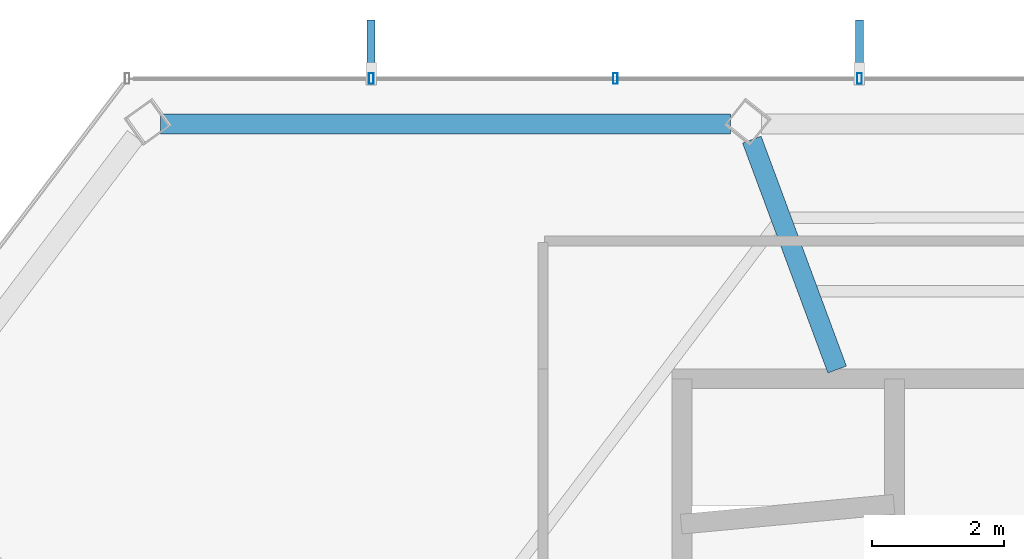
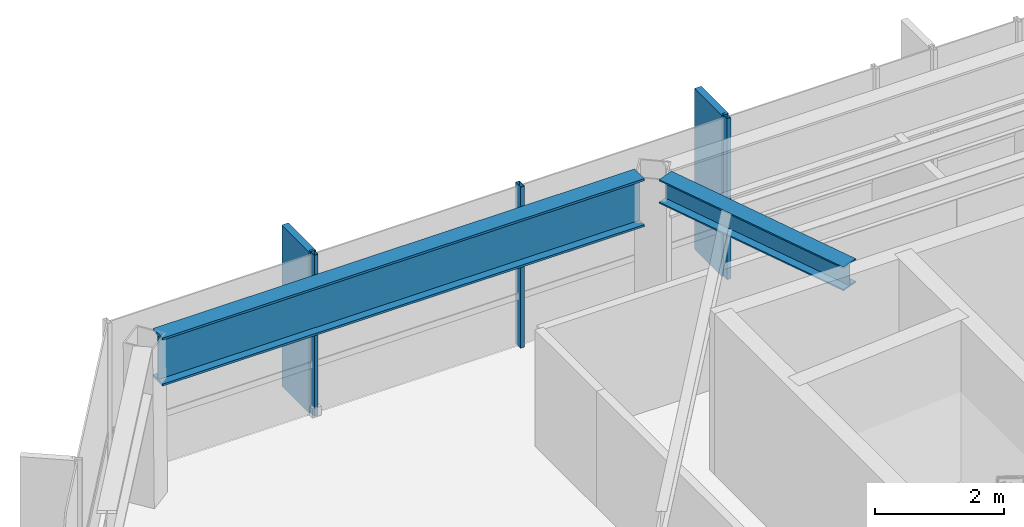
# One storey, part 11 of 24: 5 members, 2 beams, 1 element without a shape of its own.
"""IFC4 building model written with IfcOpenShell, lengths in metres."""

from ifc_helpers import new_model, si_unit, direction, frame, origin, origin_2d, place, context, subcontext, project, spatial, rectangle, hollow_rectangle, i_section, extrude, material, layer, layer_set, material_profile, profile_set, type_object, element, aggregate, save


model = new_model("IFC4")

# Units and contexts
model_context = context("Model", 3, precision=1e-05, world=origin(), true_north=direction((0.0, 1.0)))
body_context = subcontext(model_context, "Body", "Model", "MODEL_VIEW")
ifc_project = project(units=[si_unit("LENGTHUNIT", "METRE"), si_unit("AREAUNIT", "SQUARE_METRE"), si_unit("VOLUMEUNIT", "CUBIC_METRE"), si_unit("PLANEANGLEUNIT", "RADIAN"), si_unit("MASSUNIT", "GRAM", prefix="KILO")], contexts=[model_context])

# Site, building, storey
site_placement = place(None, origin())
site = spatial("IfcSite", under=ifc_project, at=site_placement, CompositionType="ELEMENT")
building_placement = place(site_placement, origin())
building = spatial("IfcBuilding", under=site, at=building_placement, Name="Zarrinselat Tower", CompositionType="ELEMENT")
storey_placement = place(building_placement, frame((0.0, 0.0, 249.56005859375)))
storey = spatial("IfcBuildingStorey", under=building, at=storey_placement, Name="L63", CompositionType="ELEMENT", Elevation=249.56005859375)

# Beams
ifc_material_1 = material(Name="Steel S355J2", Category="steel")
ifc_material_profile_1 = material_profile(ifc_material_1, i_section(OverallWidth=0.300048828125, OverallDepth=0.449951171875, WebThickness=0.013916015625, FlangeThickness=0.02587890625, at=origin_2d()), Name="HEB 450")
ifc_profile_set_1 = profile_set([ifc_material_profile_1], Name="Steel S355J2")
beam_type_1 = type_object("IfcBeamType", Name="BM-HEB450", PredefinedType="BEAM", material=ifc_profile_set_1)
beam_1_placement = place(storey_placement, frame((29.70849609375, 47.019287109375, 2.824951171875), z_axis=(0.347999881666, -0.937494577243, 0.0), x_axis=(0.937494577243, 0.347999881666, 0.0)))
element("IfcBeam", 1, at=beam_1_placement, inside=storey, type_object=beam_type_1, Name="L63 Radial Primary Girder RG04", PredefinedType="BEAM", context=body_context, shape_type="SweptSolid", body=[
    extrude(i_section(OverallWidth=0.300048828125, OverallDepth=0.449951171875, WebThickness=0.013916015625, FlangeThickness=0.02587890625, at=origin_2d()), origin(), (0.0, 0.0, 1.0), 3.711181640625),
])
ifc_material_2 = material(Name="Steel S460M", Category="steel")
ifc_material_profile_2 = material_profile(ifc_material_2, i_section(OverallWidth=0.302001953125, OverallDepth=0.909912109375, WebThickness=0.02099609375, FlangeThickness=0.0400390625, at=origin_2d()), Name="HEM 900")
ifc_profile_set_2 = profile_set([ifc_material_profile_2], Name="Steel S460M")
beam_type_2 = type_object("IfcBeamType", Name="BM-HEM900", PredefinedType="BEAM", material=ifc_profile_set_2)
beam_2_placement = place(storey_placement, frame((20.760498046875, 47.255615234375, 2.594970703125), z_axis=(1.0, 0.0, 0.0), x_axis=(0.0, 1.0, 0.0)))
element("IfcBeam", 2, at=beam_2_placement, inside=storey, type_object=beam_type_2, Name="L63 Perimeter Spandrel Girder SP04", PredefinedType="BEAM", context=body_context, shape_type="SweptSolid", body=[
    extrude(i_section(OverallWidth=0.302001953125, OverallDepth=0.909912109375, WebThickness=0.02099609375, FlangeThickness=0.0400390625, at=origin_2d()), origin(), (0.0, 0.0, 1.0), 8.622314453125),
])

# Curtain wall, members
ifc_material_3 = material(Name="Extruded Aluminium Alloy EN AW-6063 T6", Category="aluminium")
ifc_layer = layer(ifc_material_3, 0.169921875)
ifc_layer_set = layer_set([ifc_layer], Name="Extruded Aluminium Alloy EN AW-6063 T6")
curtain_wall_type = type_object("IfcCurtainWallType", Name="CWS-RES", PredefinedType="NOTDEFINED", material=ifc_layer_set)
curtain_wall_placement = place(storey_placement, origin())
curtain_wall = element("IfcCurtainWall", 3, at=curtain_wall_placement, inside=storey, type_object=curtain_wall_type, Name="L63 Unitised Curtain Wall CW-L63-E01", PredefinedType="NOTDEFINED")
ifc_material_4 = material(Name="Extruded Aluminium Alloy EN AW-6063 T6", Category="aluminium")
ifc_material_profile_3 = material_profile(ifc_material_4, hollow_rectangle(XDim=0.070068359375, YDim=0.159912109375, WallThickness=0.00390625, at=origin_2d()), Name="RHS 160x70x4")
ifc_profile_set_3 = profile_set([ifc_material_profile_3], Name="Extruded Aluminium Alloy EN AW-6063 T6")
member_type_1 = type_object("IfcMemberType", Name="MEM-CW-MUL2", PredefinedType="MULLION", material=ifc_profile_set_3)
member_1_placement = place(storey_placement, frame((31.33740234375, 47.944580078125, 0.0), z_axis=(0.0, 0.0, 1.0), x_axis=(-1.0, 0.0, 0.0)))
member_1 = element("IfcMember", 4, at=member_1_placement, type_object=member_type_1, Name="CW-L63-E01 Mullion 9", PredefinedType="MULLION", context=body_context, shape_type="SweptSolid", body=[
    extrude(hollow_rectangle(XDim=0.070068359375, YDim=0.159912109375, WallThickness=0.00390625, at=origin_2d()), origin(), (0.0, 0.0, 1.0), 3.050048828125),
])
member_2_placement = place(storey_placement, frame((27.642822265625, 47.944580078125, 0.0), z_axis=(0.0, 0.0, 1.0), x_axis=(-1.0, 0.0, 0.0)))
member_2 = element("IfcMember", 5, at=member_2_placement, type_object=member_type_1, Name="CW-L63-E01 Mullion 10", PredefinedType="MULLION", context=body_context, shape_type="SweptSolid", body=[
    extrude(hollow_rectangle(XDim=0.070068359375, YDim=0.159912109375, WallThickness=0.00390625, at=origin_2d()), origin(), (0.0, 0.0, 1.0), 3.050048828125),
])
member_3_placement = place(storey_placement, frame((23.9482421875, 47.944580078125, 0.0), z_axis=(0.0, 0.0, 1.0), x_axis=(-1.0, 0.0, 0.0)))
member_3 = element("IfcMember", 6, at=member_3_placement, type_object=member_type_1, Name="CW-L63-E01 Mullion 11", PredefinedType="MULLION", context=body_context, shape_type="SweptSolid", body=[
    extrude(hollow_rectangle(XDim=0.070068359375, YDim=0.159912109375, WallThickness=0.00390625, at=origin_2d()), origin(), (0.0, 0.0, 1.0), 3.050048828125),
])
ifc_material_5 = material(Name="Honed Cream Travertine Stone", Category="masonry")
ifc_material_profile_4 = material_profile(ifc_material_5, rectangle(XDim=0.1201171875, YDim=0.85009765625, at=origin_2d()), Name="FIN 850x120")
ifc_profile_set_4 = profile_set([ifc_material_profile_4], Name="Honed Cream Travertine Stone")
member_type_2 = type_object("IfcMemberType", Name="MEM-STONE-FIN", PredefinedType="USERDEFINED", material=ifc_profile_set_4)
member_4_placement = place(storey_placement, frame((31.33740234375, 48.404541015625, 0.0), z_axis=(0.0, 0.0, 1.0), x_axis=(1.0, 0.0, 0.0)))
member_4 = element("IfcMember", 7, at=member_4_placement, type_object=member_type_2, Name="L63 Stone Shading Fin CW-L63-E01-09", ObjectType="FIN", PredefinedType="USERDEFINED", context=body_context, shape_type="SweptSolid", body=[
    extrude(rectangle(XDim=0.1201171875, YDim=0.85009765625, at=origin_2d()), origin(), (0.0, 0.0, 1.0), 3.050048828125),
])
member_5_placement = place(storey_placement, frame((23.9482421875, 48.404541015625, 0.0), z_axis=(0.0, 0.0, 1.0), x_axis=(1.0, 0.0, 0.0)))
member_5 = element("IfcMember", 8, at=member_5_placement, type_object=member_type_2, Name="L63 Stone Shading Fin CW-L63-E01-11", ObjectType="FIN", PredefinedType="USERDEFINED", context=body_context, shape_type="SweptSolid", body=[
    extrude(rectangle(XDim=0.1201171875, YDim=0.85009765625, at=origin_2d()), origin(), (0.0, 0.0, 1.0), 3.050048828125),
])
aggregate(curtain_wall, [member_1, member_4, member_2, member_3, member_5])

save(model, "model.ifc")
